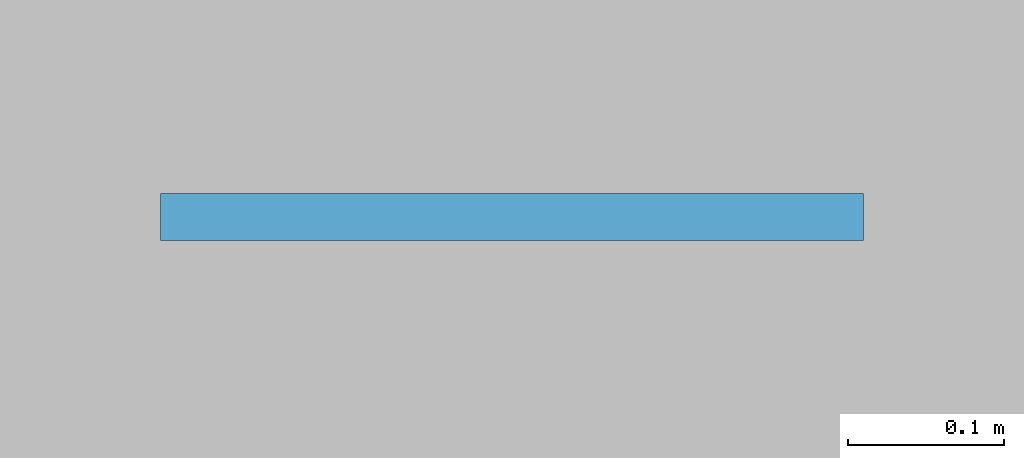
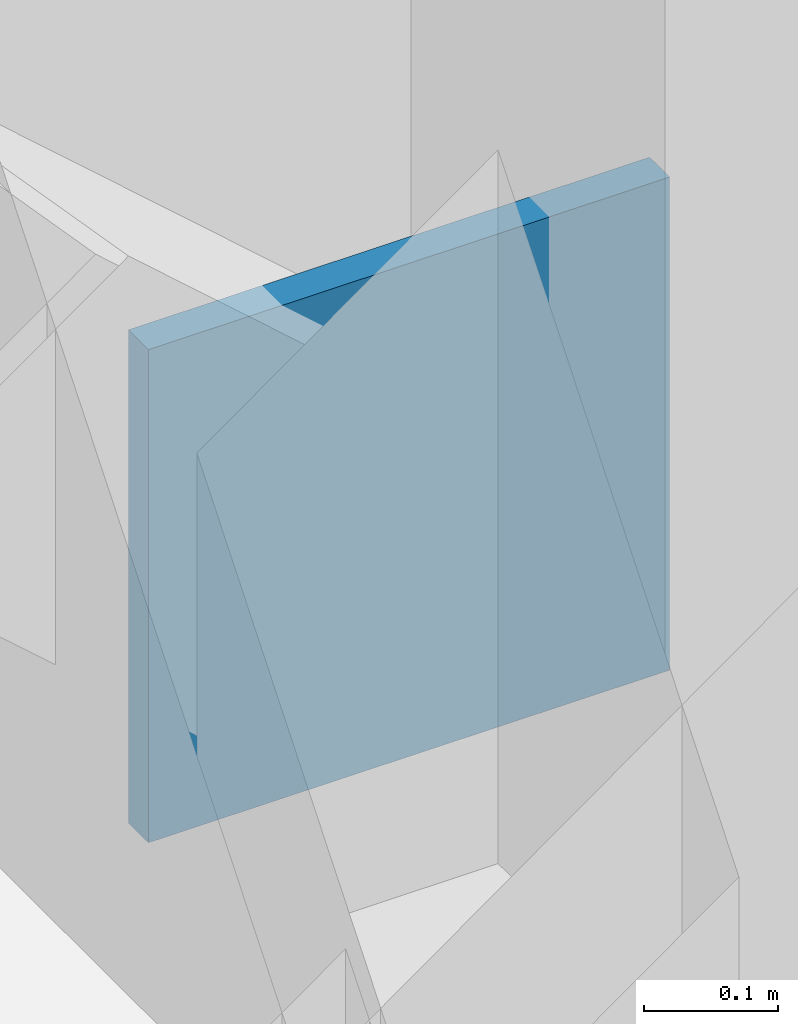
# One storey, part 101 of 136: 1 plate.
"""IFC4 building model written with IfcOpenShell, lengths in metres."""

from ifc_helpers import new_model, si_unit, direction, frame, origin, origin_2d, place, context, subcontext, project, spatial, rectangle, extrude, material, layer, layer_set, type_object, element, save


model = new_model("IFC4")

# Units and contexts
model_context = context("Model", 3, precision=1e-05, world=origin(), true_north=direction((0.0, 1.0)))
body_context = subcontext(model_context, "Body", "Model", "MODEL_VIEW")
ifc_project = project(units=[si_unit("LENGTHUNIT", "METRE"), si_unit("AREAUNIT", "SQUARE_METRE"), si_unit("VOLUMEUNIT", "CUBIC_METRE"), si_unit("PLANEANGLEUNIT", "RADIAN"), si_unit("MASSUNIT", "GRAM", prefix="KILO")], contexts=[model_context])

# Site, building, storey
site_placement = place(None, origin())
site = spatial("IfcSite", under=ifc_project, at=site_placement, CompositionType="ELEMENT")
building_placement = place(site_placement, origin())
building = spatial("IfcBuilding", under=site, at=building_placement, Name="Oolite Switchyard Hospital", CompositionType="ELEMENT")
storey_placement = place(building_placement, origin())
storey = spatial("IfcBuildingStorey", under=building, at=storey_placement, Name="L00", CompositionType="ELEMENT", Elevation=0.0)

# Plate
ifc_material = material(Name="Steel ASTM A572 Grade 50", Category="steel")
ifc_layer = layer(ifc_material, 0.030029296875)
ifc_layer_set = layer_set([ifc_layer], Name="PLT-GUS-450")
plate_type = type_object("IfcPlateType", Name="PLT-GUS-450", PredefinedType="SHEET", material=ifc_layer_set)
plate_placement = place(storey_placement, frame((191.8798828125, 134.39990234375, -0.02490234375), z_axis=(0.0, 0.0, 1.0), x_axis=(1.0, 0.0, 0.0)))
element("IfcPlate", 1, at=plate_placement, inside=storey, type_object=plate_type, Name="L00 Brace Base Gusset Plate 68", PredefinedType="SHEET", context=body_context, shape_type="SweptSolid", body=[
    extrude(rectangle(XDim=0.449951171875, YDim=0.030029296875, at=origin_2d()), origin(), (0.0, 0.0, 1.0), 0.449951171875),
])

save(model, "model.ifc")
